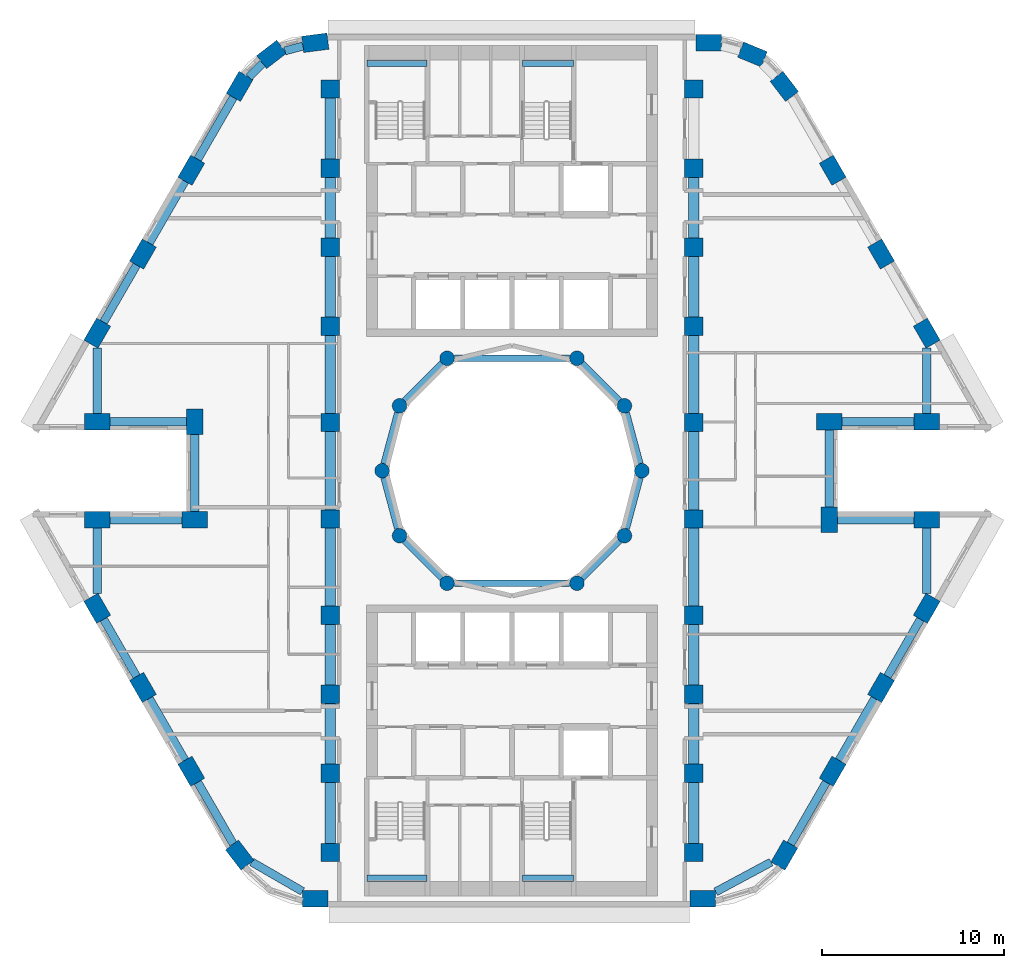
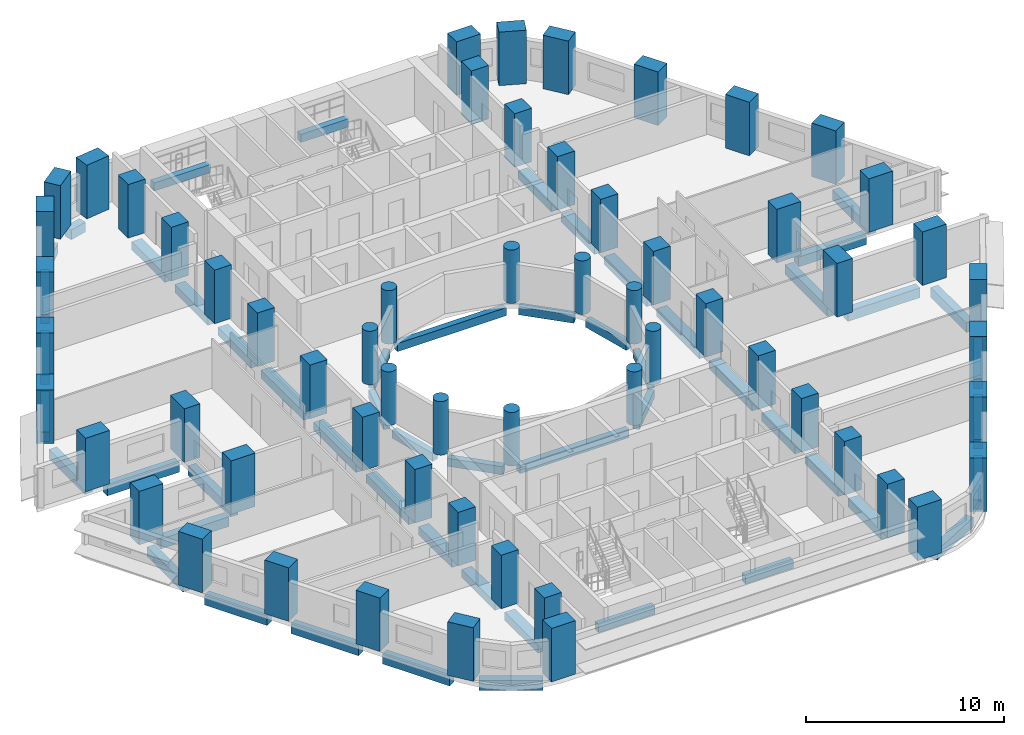
# One storey, part 1 of 12: 60 columns, 54 beams.
"""IFC4 building model written with IfcOpenShell, lengths in metres."""

from ifc_helpers import new_model, si_unit, direction, frame, origin, origin_2d, place, context, subcontext, project, spatial, rectangle, circle, extrude, material, material_profile, profile_set, type_object, element, save


model = new_model("IFC4")

# Units and contexts
model_context = context("Model", 3, precision=1e-05, world=origin(), true_north=direction((0.0, 1.0)))
body_context = subcontext(model_context, "Body", "Model", "MODEL_VIEW")
ifc_project = project(units=[si_unit("LENGTHUNIT", "METRE"), si_unit("AREAUNIT", "SQUARE_METRE"), si_unit("VOLUMEUNIT", "CUBIC_METRE"), si_unit("PLANEANGLEUNIT", "RADIAN"), si_unit("MASSUNIT", "GRAM", prefix="KILO")], contexts=[model_context])

# Site, building, storey
site_placement = place(None, origin())
site = spatial("IfcSite", under=ifc_project, at=site_placement, CompositionType="ELEMENT")
building_placement = place(site_placement, origin())
building = spatial("IfcBuilding", under=site, at=building_placement, Name="Nakaniwa Court", CompositionType="ELEMENT")
storey_placement = place(building_placement, frame((0.0, 0.0, 100.800048828125)))
storey = spatial("IfcBuildingStorey", under=building, at=storey_placement, Name="L26", CompositionType="ELEMENT", Elevation=100.800048828125)

# Columns
ifc_material = material(Name="Concrete C80/100", Category="concrete")
ifc_material_profile_1 = material_profile(ifc_material, rectangle(XDim=1.0, YDim=1.0, at=origin_2d()), Name="Concrete C80/100 RC 1000x1000 spine column")
ifc_profile_set_1 = profile_set([ifc_material_profile_1], Name="Concrete C80/100")
column_type_1 = type_object("IfcColumnType", Name="Concrete C80/100 RC 1000x1000 spine column", PredefinedType="COLUMN", material=ifc_profile_set_1)
for number, where, z_axis, x_axis, name in (
    (1, (90.0, 59.0, 0.0), (0.0, 0.0, 1.0), (0.0, 1.0, 0.0), "COLUMN CS-01"),
    (2, (90.0, 63.35009765625, 0.0), (0.0, 0.0, 1.0), (0.0, 1.0, 0.0), "COLUMN CS-02"),
    (3, (90.0, 67.699951171875, 0.0), (0.0, 0.0, 1.0), (0.0, 1.0, 0.0), "COLUMN CS-03"),
    (4, (90.0, 72.050048828125, 0.0), (0.0, 0.0, 1.0), (0.0, 1.0, 0.0), "COLUMN CS-04"),
    (5, (90.0, 77.35009765625, 0.0), (0.0, 0.0, 1.0), (0.0, 1.0, 0.0), "COLUMN CS-05"),
    (6, (90.0, 82.64990234375, 0.0), (0.0, 0.0, 1.0), (0.0, 1.0, 0.0), "COLUMN CS-06"),
    (7, (90.0, 87.949951171875, 0.0), (0.0, 0.0, 1.0), (0.0, 1.0, 0.0), "COLUMN CS-07"),
    (8, (90.0, 92.300048828125, 0.0), (0.0, 0.0, 1.0), (0.0, 1.0, 0.0), "COLUMN CS-08"),
    (9, (90.0, 96.64990234375, 0.0), (0.0, 0.0, 1.0), (0.0, 1.0, 0.0), "COLUMN CS-09"),
    (10, (90.0, 101.0, 0.0), (0.0, 0.0, 1.0), (0.0, 1.0, 0.0), "COLUMN CS-10"),
    (11, (70.0, 101.0, 0.0), (0.0, 0.0, 1.0), (0.0, -1.0, 0.0), "COLUMN CS-11"),
    (12, (70.0, 96.64990234375, 0.0), (0.0, 0.0, 1.0), (0.0, -1.0, 0.0), "COLUMN CS-12"),
    (13, (70.0, 92.300048828125, 0.0), (0.0, 0.0, 1.0), (0.0, -1.0, 0.0), "COLUMN CS-13"),
    (14, (70.0, 87.949951171875, 0.0), (0.0, 0.0, 1.0), (0.0, -1.0, 0.0), "COLUMN CS-14"),
    (15, (70.0, 82.64990234375, 0.0), (0.0, 0.0, 1.0), (0.0, -1.0, 0.0), "COLUMN CS-15"),
    (16, (70.0, 77.35009765625, 0.0), (0.0, 0.0, 1.0), (0.0, -1.0, 0.0), "COLUMN CS-16"),
    (17, (70.0, 72.050048828125, 0.0), (0.0, 0.0, 1.0), (0.0, -1.0, 0.0), "COLUMN CS-17"),
    (18, (70.0, 67.699951171875, 0.0), (0.0, 0.0, 1.0), (0.0, -1.0, 0.0), "COLUMN CS-18"),
    (19, (70.0, 63.35009765625, 0.0), (0.0, 0.0, 1.0), (0.0, -1.0, 0.0), "COLUMN CS-19"),
    (20, (70.0, 59.0, 0.0), (0.0, 0.0, 1.0), (0.0, -1.0, 0.0), "COLUMN CS-20"),
):
    element("IfcColumn", number, at=place(storey_placement, frame(where, z_axis=z_axis, x_axis=x_axis)), inside=storey, type_object=column_type_1, Name=name, PredefinedType="COLUMN", context=body_context, shape_type="SweptSolid", body=[
        extrude(rectangle(XDim=1.0, YDim=1.0, at=origin_2d()), origin(), (0.0, 0.0, 1.0), 3.300048828125),
    ])
ifc_material_profile_2 = material_profile(ifc_material, rectangle(XDim=1.39990234375, YDim=0.89990234375, at=origin_2d()), Name="Concrete C80/100 RC 1400x900 perimeter column")
ifc_profile_set_2 = profile_set([ifc_material_profile_2], Name="Concrete C80/100")
column_type_2 = type_object("IfcColumnType", Name="Concrete C80/100 RC 1400x900 perimeter column", PredefinedType="COLUMN", material=ifc_profile_set_2)
for number, where, z_axis, x_axis, name in (
    (21, (69.17529296875, 103.550048828125, 0.0), (0.0, 0.0, 1.0), (-0.991442583111, -0.130543496177, 0.0), "COLUMN CO-01"),
    (22, (66.772705078125, 102.91015625, 0.0), (0.0, 0.0, 1.0), (-0.793363965062, -0.608747582288, 0.0), "COLUMN CO-02"),
    (23, (65.017578125, 101.1494140625, 0.0), (0.0, 0.0, 1.0), (-0.5, -0.866025403784, 0.0), "COLUMN CO-03"),
    (24, (62.3544921875, 96.537109375, 0.0), (0.0, 0.0, 1.0), (-0.5, -0.866025403784, 0.0), "COLUMN CO-04"),
    (25, (59.691650390625, 91.9248046875, 0.0), (0.0, 0.0, 1.0), (-0.5, -0.866025403784, 0.0), "COLUMN CO-05"),
    (26, (57.177001953125, 87.569580078125, 0.0), (0.0, 0.0, 1.0), (-0.5, -0.866025403784, 0.0), "COLUMN CO-06"),
    (27, (57.177001953125, 82.699951171875, 0.0), (0.0, 0.0, 1.0), (1.0, 0.0, 0.0), "COLUMN CO-08"),
    (28, (62.54150390625, 82.699951171875, 0.0), (0.0, 0.0, 1.0), (0.0, -1.0, 0.0), "COLUMN CO-09"),
    (29, (62.54150390625, 77.300048828125, 0.0), (0.0, 0.0, 1.0), (-1.0, 0.0, 0.0), "COLUMN CO-10"),
    (30, (57.177001953125, 77.300048828125, 0.0), (0.0, 0.0, 1.0), (-1.0, 0.0, 0.0), "COLUMN CO-11"),
    (31, (57.177001953125, 72.430419921875, 0.0), (0.0, 0.0, 1.0), (0.5, -0.866025403784, 0.0), "COLUMN CO-13"),
    (32, (59.691650390625, 68.0751953125, 0.0), (0.0, 0.0, 1.0), (0.5, -0.866025403784, 0.0), "COLUMN CO-14"),
    (33, (62.3544921875, 63.462890625, 0.0), (0.0, 0.0, 1.0), (0.5, -0.866025403784, 0.0), "COLUMN CO-15"),
    (34, (65.017578125, 58.8505859375, 0.0), (0.0, 0.0, 1.0), (0.608761429009, -0.793353340291, 0.0), "COLUMN CO-16"),
    (35, (69.17529296875, 56.449951171875, 0.0), (0.0, 0.0, 1.0), (1.0, 0.0, 0.0), "COLUMN CO-17"),
    (36, (90.507080078125, 56.449951171875, 0.0), (0.0, 0.0, 1.0), (1.0, 0.0, 0.0), "COLUMN CO-21"),
    (37, (94.982421875, 58.8505859375, 0.0), (0.0, 0.0, 1.0), (0.5, 0.866025403784, 0.0), "COLUMN CO-22"),
    (38, (97.6455078125, 63.462890625, 0.0), (0.0, 0.0, 1.0), (0.5, 0.866025403784, 0.0), "COLUMN CO-23"),
    (39, (100.308349609375, 68.0751953125, 0.0), (0.0, 0.0, 1.0), (0.5, 0.866025403784, 0.0), "COLUMN CO-24"),
    (40, (102.822998046875, 72.430419921875, 0.0), (0.0, 0.0, 1.0), (0.5, 0.866025403784, 0.0), "COLUMN CO-25"),
    (41, (102.822998046875, 77.300048828125, 0.0), (0.0, 0.0, 1.0), (-1.0, 0.0, 0.0), "COLUMN CO-27"),
    (42, (97.45849609375, 77.300048828125, 0.0), (0.0, 0.0, 1.0), (0.0, 1.0, 0.0), "COLUMN CO-28"),
    (43, (97.45849609375, 82.699951171875, 0.0), (0.0, 0.0, 1.0), (1.0, 0.0, 0.0), "COLUMN CO-29"),
    (44, (102.822998046875, 82.699951171875, 0.0), (0.0, 0.0, 1.0), (1.0, 0.0, 0.0), "COLUMN CO-30"),
    (45, (102.822998046875, 87.569580078125, 0.0), (0.0, 0.0, 1.0), (-0.5, 0.866025403784, 0.0), "COLUMN CO-32"),
    (46, (100.308349609375, 91.9248046875, 0.0), (0.0, 0.0, 1.0), (-0.5, 0.866025403784, 0.0), "COLUMN CO-33"),
    (47, (97.6455078125, 96.537109375, 0.0), (0.0, 0.0, 1.0), (-0.5, 0.866025403784, 0.0), "COLUMN CO-34"),
    (48, (94.982421875, 101.1494140625, 0.0), (0.0, 0.0, 1.0), (-0.608761429009, 0.793353340291, 0.0), "COLUMN CO-35"),
    (49, (93.227294921875, 102.91015625, 0.0), (0.0, 0.0, 1.0), (-0.923879532511, 0.382683432365, 0.0), "COLUMN CO-36"),
    (50, (90.82470703125, 103.550048828125, 0.0), (0.0, 0.0, 1.0), (-1.0, 0.0, 0.0), "COLUMN CO-37"),
):
    element("IfcColumn", number, at=place(storey_placement, frame(where, z_axis=z_axis, x_axis=x_axis)), inside=storey, type_object=column_type_2, Name=name, PredefinedType="COLUMN", context=body_context, shape_type="SweptSolid", body=[
        extrude(rectangle(XDim=1.39990234375, YDim=0.89990234375, at=origin_2d()), origin(), (0.0, 0.0, 1.0), 3.300048828125),
    ])
ifc_material_profile_3 = material_profile(ifc_material, circle(Radius=0.39990234375, at=origin_2d()), Name="Concrete C80/100 RC D800 inner ring column")
ifc_profile_set_3 = profile_set([ifc_material_profile_3], Name="Concrete C80/100")
column_type_3 = type_object("IfcColumnType", Name="Concrete C80/100 RC D800 inner ring column", PredefinedType="COLUMN", material=ifc_profile_set_3)
for number, where, z_axis, x_axis, name in (
    (51, (87.14990234375, 80.0, 0.0), (0.0, 0.0, 1.0), (0.0, 1.0, 0.0), "COLUMN CI-01"),
    (52, (86.192138671875, 83.574951171875, 0.0), (0.0, 0.0, 1.0), (-0.5, 0.866025403784, 0.0), "COLUMN CI-02"),
    (53, (83.574951171875, 86.192138671875, 0.0), (0.0, 0.0, 1.0), (-0.866025403784, 0.5, 0.0), "COLUMN CI-03"),
    (54, (76.425048828125, 86.192138671875, 0.0), (0.0, 0.0, 1.0), (-0.866025403784, -0.5, 0.0), "COLUMN CI-05"),
    (55, (73.807861328125, 83.574951171875, 0.0), (0.0, 0.0, 1.0), (-0.5, -0.866025403784, 0.0), "COLUMN CI-06"),
    (56, (72.85009765625, 80.0, 0.0), (0.0, 0.0, 1.0), (0.0, -1.0, 0.0), "COLUMN CI-07"),
    (57, (73.807861328125, 76.425048828125, 0.0), (0.0, 0.0, 1.0), (0.5, -0.866025403784, 0.0), "COLUMN CI-08"),
    (58, (76.425048828125, 73.807861328125, 0.0), (0.0, 0.0, 1.0), (0.866025403784, -0.5, 0.0), "COLUMN CI-09"),
    (59, (83.574951171875, 73.807861328125, 0.0), (0.0, 0.0, 1.0), (0.866025403784, 0.5, 0.0), "COLUMN CI-11"),
    (60, (86.192138671875, 76.425048828125, 0.0), (0.0, 0.0, 1.0), (0.5, 0.866025403784, 0.0), "COLUMN CI-12"),
):
    element("IfcColumn", number, at=place(storey_placement, frame(where, z_axis=z_axis, x_axis=x_axis)), inside=storey, type_object=column_type_3, Name=name, PredefinedType="COLUMN", context=body_context, shape_type="SweptSolid", body=[
        extrude(circle(Radius=0.39990234375, at=origin_2d()), origin(), (0.0, 0.0, 1.0), 3.300048828125),
    ])

# Beams
ifc_material_profile_4 = material_profile(ifc_material, rectangle(XDim=0.35009765625, YDim=0.5, at=origin_2d()), Name="Concrete C80/100 RC 350x500 landing ledge beam")
ifc_profile_set_4 = profile_set([ifc_material_profile_4], Name="Concrete C80/100")
beam_type_1 = type_object("IfcBeamType", Name="Concrete C80/100 RC 350x500 landing ledge beam", PredefinedType="BEAM", material=ifc_profile_set_4)
beam_1_placement = place(storey_placement, frame((72.02490234375, 102.425048828125, 1.199951171875), z_axis=(1.0, 0.0, 0.0), x_axis=(0.0, 1.0, 0.0)))
element("IfcBeam", 61, at=beam_1_placement, inside=storey, type_object=beam_type_1, Name="LANDING LEDGE BEAM", PredefinedType="BEAM", context=body_context, shape_type="SweptSolid", body=[
    extrude(rectangle(XDim=0.35009765625, YDim=0.5, at=origin_2d()), origin(), (0.0, 0.0, 1.0), 3.300048828125),
])
beam_2_placement = place(storey_placement, frame((80.574951171875, 102.425048828125, 1.199951171875), z_axis=(1.0, 0.0, 0.0), x_axis=(0.0, 1.0, 0.0)))
element("IfcBeam", 62, at=beam_2_placement, inside=storey, type_object=beam_type_1, Name="LANDING LEDGE BEAM", PredefinedType="BEAM", context=body_context, shape_type="SweptSolid", body=[
    extrude(rectangle(XDim=0.35009765625, YDim=0.5, at=origin_2d()), origin(), (0.0, 0.0, 1.0), 2.800048828125),
])
beam_3_placement = place(storey_placement, frame((72.02490234375, 57.574951171875, 1.199951171875), z_axis=(1.0, 0.0, 0.0), x_axis=(0.0, 1.0, 0.0)))
element("IfcBeam", 63, at=beam_3_placement, inside=storey, type_object=beam_type_1, Name="LANDING LEDGE BEAM", PredefinedType="BEAM", context=body_context, shape_type="SweptSolid", body=[
    extrude(rectangle(XDim=0.35009765625, YDim=0.5, at=origin_2d()), origin(), (0.0, 0.0, 1.0), 3.300048828125),
])
beam_4_placement = place(storey_placement, frame((80.574951171875, 57.574951171875, 1.199951171875), z_axis=(1.0, 0.0, 0.0), x_axis=(0.0, 1.0, 0.0)))
element("IfcBeam", 64, at=beam_4_placement, inside=storey, type_object=beam_type_1, Name="LANDING LEDGE BEAM", PredefinedType="BEAM", context=body_context, shape_type="SweptSolid", body=[
    extrude(rectangle(XDim=0.35009765625, YDim=0.5, at=origin_2d()), origin(), (0.0, 0.0, 1.0), 2.800048828125),
])
ifc_material_profile_5 = material_profile(ifc_material, rectangle(XDim=0.35009765625, YDim=0.5, at=origin_2d()), Name="Concrete C80/100 RC 350x500 ring beam")
ifc_profile_set_5 = profile_set([ifc_material_profile_5], Name="Concrete C80/100")
beam_type_2 = type_object("IfcBeamType", Name="Concrete C80/100 RC 350x500 ring beam", PredefinedType="BEAM", material=ifc_profile_set_5)
beam_5_placement = place(storey_placement, frame((87.04638671875, 80.386474609375, -0.525146484375), z_axis=(-0.258778150207, 0.965936783115, 0.0), x_axis=(-0.965936783115, -0.258778150207, 0.0)))
element("IfcBeam", 65, at=beam_5_placement, inside=storey, type_object=beam_type_2, Name="RING BEAM", PredefinedType="BEAM", context=body_context, shape_type="SweptSolid", body=[
    extrude(rectangle(XDim=0.35009765625, YDim=0.5, at=origin_2d()), origin(), (0.0, 0.0, 1.0), 2.901123046875),
])
beam_6_placement = place(storey_placement, frame((85.9091796875, 83.85791015625, -0.525146484375), z_axis=(-0.707106781187, 0.707106781187, 0.0), x_axis=(-0.707106781187, -0.707106781187, 0.0)))
element("IfcBeam", 66, at=beam_6_placement, inside=storey, type_object=beam_type_2, Name="RING BEAM", PredefinedType="BEAM", context=body_context, shape_type="SweptSolid", body=[
    extrude(rectangle(XDim=0.35009765625, YDim=0.5, at=origin_2d()), origin(), (0.0, 0.0, 1.0), 2.90087890625),
])
beam_7_placement = place(storey_placement, frame((83.175048828125, 86.192138671875, -0.525146484375), z_axis=(-1.0, 0.0, 0.0), x_axis=(0.0, -1.0, 0.0)))
element("IfcBeam", 67, at=beam_7_placement, inside=storey, type_object=beam_type_2, Name="RING BEAM", PredefinedType="BEAM", context=body_context, shape_type="SweptSolid", body=[
    extrude(rectangle(XDim=0.35009765625, YDim=0.5, at=origin_2d()), origin(), (0.0, 0.0, 1.0), 6.35009765625),
])
beam_8_placement = place(storey_placement, frame((76.14208984375, 85.9091796875, -0.525146484375), z_axis=(-0.707106781187, -0.707106781187, 0.0), x_axis=(0.707106781187, -0.707106781187, 0.0)))
element("IfcBeam", 68, at=beam_8_placement, inside=storey, type_object=beam_type_2, Name="RING BEAM", PredefinedType="BEAM", context=body_context, shape_type="SweptSolid", body=[
    extrude(rectangle(XDim=0.35009765625, YDim=0.5, at=origin_2d()), origin(), (0.0, 0.0, 1.0), 2.90087890625),
])
for number, where, z_axis, x_axis, name in (
    (69, (73.704345703125, 83.188720703125, -0.525146484375), (-0.258778150207, -0.965936783115, 0.0), (0.965936783115, -0.258778150207, 0.0), "RING BEAM"),
    (70, (72.95361328125, 79.613525390625, -0.525146484375), (0.258778150207, -0.965936783115, 0.0), (0.965936783115, 0.258778150207, 0.0), "RING BEAM"),
):
    element("IfcBeam", number, at=place(storey_placement, frame(where, z_axis=z_axis, x_axis=x_axis)), inside=storey, type_object=beam_type_2, Name=name, PredefinedType="BEAM", context=body_context, shape_type="SweptSolid", body=[
        extrude(rectangle(XDim=0.35009765625, YDim=0.5, at=origin_2d()), origin(), (0.0, 0.0, 1.0), 2.901123046875),
    ])
beam_9_placement = place(storey_placement, frame((74.0908203125, 76.14208984375, -0.525146484375), z_axis=(0.707106781187, -0.707106781187, 0.0), x_axis=(0.707106781187, 0.707106781187, 0.0)))
element("IfcBeam", 71, at=beam_9_placement, inside=storey, type_object=beam_type_2, Name="RING BEAM", PredefinedType="BEAM", context=body_context, shape_type="SweptSolid", body=[
    extrude(rectangle(XDim=0.35009765625, YDim=0.5, at=origin_2d()), origin(), (0.0, 0.0, 1.0), 2.90087890625),
])
beam_10_placement = place(storey_placement, frame((76.824951171875, 73.807861328125, -0.525146484375), z_axis=(1.0, 0.0, 0.0), x_axis=(0.0, 1.0, 0.0)))
element("IfcBeam", 72, at=beam_10_placement, inside=storey, type_object=beam_type_2, Name="RING BEAM", PredefinedType="BEAM", context=body_context, shape_type="SweptSolid", body=[
    extrude(rectangle(XDim=0.35009765625, YDim=0.5, at=origin_2d()), origin(), (0.0, 0.0, 1.0), 6.35009765625),
])
beam_11_placement = place(storey_placement, frame((83.85791015625, 74.0908203125, -0.525146484375), z_axis=(0.707106781187, 0.707106781187, 0.0), x_axis=(-0.707106781187, 0.707106781187, 0.0)))
element("IfcBeam", 73, at=beam_11_placement, inside=storey, type_object=beam_type_2, Name="RING BEAM", PredefinedType="BEAM", context=body_context, shape_type="SweptSolid", body=[
    extrude(rectangle(XDim=0.35009765625, YDim=0.5, at=origin_2d()), origin(), (0.0, 0.0, 1.0), 2.90087890625),
])
beam_12_placement = place(storey_placement, frame((86.295654296875, 76.811279296875, -0.525146484375), z_axis=(0.258778150207, 0.965936783115, 0.0), x_axis=(-0.965936783115, 0.258778150207, 0.0)))
element("IfcBeam", 74, at=beam_12_placement, inside=storey, type_object=beam_type_2, Name="RING BEAM", PredefinedType="BEAM", context=body_context, shape_type="SweptSolid", body=[
    extrude(rectangle(XDim=0.35009765625, YDim=0.5, at=origin_2d()), origin(), (0.0, 0.0, 1.0), 2.901123046875),
])
ifc_material_profile_6 = material_profile(ifc_material, rectangle(XDim=0.449951171875, YDim=0.60009765625, at=origin_2d()), Name="Concrete C80/100 RC 450x600 spandrel beam")
ifc_profile_set_6 = profile_set([ifc_material_profile_6], Name="Concrete C80/100")
beam_type_3 = type_object("IfcBeamType", Name="Concrete C80/100 RC 450x600 spandrel beam", PredefinedType="BEAM", material=ifc_profile_set_6)
beam_13_placement = place(storey_placement, frame((68.4931640625, 103.368408203125, -0.574951171875), z_axis=(-0.966290412053, -0.257454538851, 0.0), x_axis=(0.257454538851, -0.966290412053, 0.0)))
element("IfcBeam", 75, at=beam_13_placement, inside=storey, type_object=beam_type_3, Name="SPANDREL BEAM", PredefinedType="BEAM", context=body_context, shape_type="SweptSolid", body=[
    extrude(rectangle(XDim=0.449951171875, YDim=0.60009765625, at=origin_2d()), origin(), (0.0, 0.0, 1.0), 1.022216796875),
])
beam_14_placement = place(storey_placement, frame((66.274169921875, 102.41015625, -0.574951171875), z_axis=(-0.70606530329, -0.708146727374, 0.0), x_axis=(0.708146727374, -0.70606530329, 0.0)))
element("IfcBeam", 76, at=beam_14_placement, inside=storey, type_object=beam_type_3, Name="SPANDREL BEAM", PredefinedType="BEAM", context=body_context, shape_type="SweptSolid", body=[
    extrude(rectangle(XDim=0.449951171875, YDim=0.60009765625, at=origin_2d()), origin(), (0.0, 0.0, 1.0), 1.0556640625),
])
for number, where, z_axis, x_axis, name in (
    (77, (64.66748046875, 100.543212890625, -0.574951171875), (-0.49999161165, -0.866030246746, 0.0), (0.866030246746, -0.49999161165, 0.0), "SPANDREL BEAM"),
    (78, (62.00439453125, 95.930908203125, -0.574951171875), (-0.49999161165, -0.866030246746, 0.0), (0.866030246746, -0.49999161165, 0.0), "SPANDREL BEAM"),
):
    element("IfcBeam", number, at=place(storey_placement, frame(where, z_axis=z_axis, x_axis=x_axis)), inside=storey, type_object=beam_type_3, Name=name, PredefinedType="BEAM", context=body_context, shape_type="SweptSolid", body=[
        extrude(rectangle(XDim=0.449951171875, YDim=0.60009765625, at=origin_2d()), origin(), (0.0, 0.0, 1.0), 3.92578125),
    ])
beam_15_placement = place(storey_placement, frame((59.341552734375, 91.318603515625, -0.574951171875), z_axis=(-0.499988394233, -0.866032104273, 0.0), x_axis=(0.866032104273, -0.499988394233, 0.0)))
element("IfcBeam", 79, at=beam_15_placement, inside=storey, type_object=beam_type_3, Name="SPANDREL BEAM", PredefinedType="BEAM", context=body_context, shape_type="SweptSolid", body=[
    extrude(rectangle(XDim=0.449951171875, YDim=0.60009765625, at=origin_2d()), origin(), (0.0, 0.0, 1.0), 3.62890625),
])
beam_16_placement = place(storey_placement, frame((57.177001953125, 86.761474609375, -0.574951171875), z_axis=(0.0, -1.0, 0.0), x_axis=(1.0, 0.0, 0.0)))
element("IfcBeam", 80, at=beam_16_placement, inside=storey, type_object=beam_type_3, Name="SPANDREL BEAM", PredefinedType="BEAM", context=body_context, shape_type="SweptSolid", body=[
    extrude(rectangle(XDim=0.449951171875, YDim=0.60009765625, at=origin_2d()), origin(), (0.0, 0.0, 1.0), 3.611572265625),
])
beam_17_placement = place(storey_placement, frame((57.877197265625, 82.699951171875, -0.574951171875), z_axis=(1.0, 0.0, 0.0), x_axis=(0.0, 1.0, 0.0)))
element("IfcBeam", 81, at=beam_17_placement, inside=storey, type_object=beam_type_3, Name="SPANDREL BEAM", PredefinedType="BEAM", context=body_context, shape_type="SweptSolid", body=[
    extrude(rectangle(XDim=0.449951171875, YDim=0.60009765625, at=origin_2d()), origin(), (0.0, 0.0, 1.0), 4.21435546875),
])
beam_18_placement = place(storey_placement, frame((62.54150390625, 82.0, -0.574951171875), z_axis=(0.0, -1.0, 0.0), x_axis=(1.0, 0.0, 0.0)))
element("IfcBeam", 82, at=beam_18_placement, inside=storey, type_object=beam_type_3, Name="SPANDREL BEAM", PredefinedType="BEAM", context=body_context, shape_type="SweptSolid", body=[
    extrude(rectangle(XDim=0.449951171875, YDim=0.60009765625, at=origin_2d()), origin(), (0.0, 0.0, 1.0), 4.25),
])
beam_19_placement = place(storey_placement, frame((61.841552734375, 77.300048828125, -0.574951171875), z_axis=(-1.0, 0.0, 0.0), x_axis=(0.0, -1.0, 0.0)))
element("IfcBeam", 83, at=beam_19_placement, inside=storey, type_object=beam_type_3, Name="SPANDREL BEAM", PredefinedType="BEAM", context=body_context, shape_type="SweptSolid", body=[
    extrude(rectangle(XDim=0.449951171875, YDim=0.60009765625, at=origin_2d()), origin(), (0.0, 0.0, 1.0), 3.96435546875),
])
beam_20_placement = place(storey_placement, frame((57.177001953125, 76.85009765625, -0.574951171875), z_axis=(0.0, -1.0, 0.0), x_axis=(1.0, 0.0, 0.0)))
element("IfcBeam", 84, at=beam_20_placement, inside=storey, type_object=beam_type_3, Name="SPANDREL BEAM", PredefinedType="BEAM", context=body_context, shape_type="SweptSolid", body=[
    extrude(rectangle(XDim=0.449951171875, YDim=0.60009765625, at=origin_2d()), origin(), (0.0, 0.0, 1.0), 3.611572265625),
])
beam_21_placement = place(storey_placement, frame((57.527099609375, 71.82421875, -0.574951171875), z_axis=(0.499988394233, -0.866032104273, 0.0), x_axis=(0.866032104273, 0.499988394233, 0.0)))
element("IfcBeam", 85, at=beam_21_placement, inside=storey, type_object=beam_type_3, Name="SPANDREL BEAM", PredefinedType="BEAM", context=body_context, shape_type="SweptSolid", body=[
    extrude(rectangle(XDim=0.449951171875, YDim=0.60009765625, at=origin_2d()), origin(), (0.0, 0.0, 1.0), 3.62890625),
])
beam_22_placement = place(storey_placement, frame((60.04150390625, 67.468994140625, -0.574951171875), z_axis=(0.49999161165, -0.866030246746, 0.0), x_axis=(0.866030246746, 0.49999161165, 0.0)))
element("IfcBeam", 86, at=beam_22_placement, inside=storey, type_object=beam_type_3, Name="SPANDREL BEAM", PredefinedType="BEAM", context=body_context, shape_type="SweptSolid", body=[
    extrude(rectangle(XDim=0.449951171875, YDim=0.60009765625, at=origin_2d()), origin(), (0.0, 0.0, 1.0), 3.92578125),
])
beam_23_placement = place(storey_placement, frame((62.70458984375, 62.856689453125, -0.574951171875), z_axis=(0.499997407846, -0.86602690036, 0.0), x_axis=(0.86602690036, 0.499997407846, 0.0)))
element("IfcBeam", 87, at=beam_23_placement, inside=storey, type_object=beam_type_3, Name="SPANDREL BEAM", PredefinedType="BEAM", context=body_context, shape_type="SweptSolid", body=[
    extrude(rectangle(XDim=0.449951171875, YDim=0.60009765625, at=origin_2d()), origin(), (0.0, 0.0, 1.0), 3.919921875),
])
beam_24_placement = place(storey_placement, frame((65.673583984375, 58.4716796875, -0.574951171875), z_axis=(0.866014675542, -0.5000185814, 0.0), x_axis=(0.5000185814, 0.866014675542, 0.0)))
element("IfcBeam", 88, at=beam_24_placement, inside=storey, type_object=beam_type_3, Name="SPANDREL BEAM", PredefinedType="BEAM", context=body_context, shape_type="SweptSolid", body=[
    extrude(rectangle(XDim=0.449951171875, YDim=0.60009765625, at=origin_2d()), origin(), (0.0, 0.0, 1.0), 3.2353515625),
])
beam_25_placement = place(storey_placement, frame((91.20703125, 56.825439453125, -0.574951171875), z_axis=(0.881233381314, 0.472681423009, 0.0), x_axis=(-0.472681423009, 0.881233381314, 0.0)))
element("IfcBeam", 89, at=beam_25_placement, inside=storey, type_object=beam_type_3, Name="SPANDREL BEAM", PredefinedType="BEAM", context=body_context, shape_type="SweptSolid", body=[
    extrude(rectangle(XDim=0.449951171875, YDim=0.60009765625, at=origin_2d()), origin(), (0.0, 0.0, 1.0), 3.46044921875),
])
for number, where, z_axis, x_axis, name in (
    (90, (95.33251953125, 59.456787109375, -0.574951171875), (0.49999161165, 0.866030246746, 0.0), (-0.866030246746, 0.49999161165, 0.0), "SPANDREL BEAM"),
    (91, (97.99560546875, 64.069091796875, -0.574951171875), (0.49999161165, 0.866030246746, 0.0), (-0.866030246746, 0.49999161165, 0.0), "SPANDREL BEAM"),
):
    element("IfcBeam", number, at=place(storey_placement, frame(where, z_axis=z_axis, x_axis=x_axis)), inside=storey, type_object=beam_type_3, Name=name, PredefinedType="BEAM", context=body_context, shape_type="SweptSolid", body=[
        extrude(rectangle(XDim=0.449951171875, YDim=0.60009765625, at=origin_2d()), origin(), (0.0, 0.0, 1.0), 3.92578125),
    ])
beam_26_placement = place(storey_placement, frame((100.658447265625, 68.681396484375, -0.574951171875), z_axis=(0.499988394233, 0.866032104273, 0.0), x_axis=(-0.866032104273, 0.499988394233, 0.0)))
element("IfcBeam", 92, at=beam_26_placement, inside=storey, type_object=beam_type_3, Name="SPANDREL BEAM", PredefinedType="BEAM", context=body_context, shape_type="SweptSolid", body=[
    extrude(rectangle(XDim=0.449951171875, YDim=0.60009765625, at=origin_2d()), origin(), (0.0, 0.0, 1.0), 3.62890625),
])
beam_27_placement = place(storey_placement, frame((102.822998046875, 73.238525390625, -0.574951171875), z_axis=(0.0, 1.0, 0.0), x_axis=(-1.0, 0.0, 0.0)))
element("IfcBeam", 93, at=beam_27_placement, inside=storey, type_object=beam_type_3, Name="SPANDREL BEAM", PredefinedType="BEAM", context=body_context, shape_type="SweptSolid", body=[
    extrude(rectangle(XDim=0.449951171875, YDim=0.60009765625, at=origin_2d()), origin(), (0.0, 0.0, 1.0), 3.611572265625),
])
beam_28_placement = place(storey_placement, frame((102.122802734375, 77.300048828125, -0.574951171875), z_axis=(-1.0, 0.0, 0.0), x_axis=(0.0, -1.0, 0.0)))
element("IfcBeam", 94, at=beam_28_placement, inside=storey, type_object=beam_type_3, Name="SPANDREL BEAM", PredefinedType="BEAM", context=body_context, shape_type="SweptSolid", body=[
    extrude(rectangle(XDim=0.449951171875, YDim=0.60009765625, at=origin_2d()), origin(), (0.0, 0.0, 1.0), 4.21435546875),
])
beam_29_placement = place(storey_placement, frame((97.45849609375, 78.0, -0.574951171875), z_axis=(0.0, 1.0, 0.0), x_axis=(-1.0, 0.0, 0.0)))
element("IfcBeam", 95, at=beam_29_placement, inside=storey, type_object=beam_type_3, Name="SPANDREL BEAM", PredefinedType="BEAM", context=body_context, shape_type="SweptSolid", body=[
    extrude(rectangle(XDim=0.449951171875, YDim=0.60009765625, at=origin_2d()), origin(), (0.0, 0.0, 1.0), 4.25),
])
beam_30_placement = place(storey_placement, frame((98.158447265625, 82.699951171875, -0.574951171875), z_axis=(1.0, 0.0, 0.0), x_axis=(0.0, 1.0, 0.0)))
element("IfcBeam", 96, at=beam_30_placement, inside=storey, type_object=beam_type_3, Name="SPANDREL BEAM", PredefinedType="BEAM", context=body_context, shape_type="SweptSolid", body=[
    extrude(rectangle(XDim=0.449951171875, YDim=0.60009765625, at=origin_2d()), origin(), (0.0, 0.0, 1.0), 3.96435546875),
])
beam_31_placement = place(storey_placement, frame((102.822998046875, 83.14990234375, -0.574951171875), z_axis=(0.0, 1.0, 0.0), x_axis=(-1.0, 0.0, 0.0)))
element("IfcBeam", 97, at=beam_31_placement, inside=storey, type_object=beam_type_3, Name="SPANDREL BEAM", PredefinedType="BEAM", context=body_context, shape_type="SweptSolid", body=[
    extrude(rectangle(XDim=0.449951171875, YDim=0.60009765625, at=origin_2d()), origin(), (0.0, 0.0, 1.0), 3.611572265625),
])
ifc_material_profile_7 = material_profile(ifc_material, rectangle(XDim=0.60009765625, YDim=0.5, at=origin_2d()), Name="Concrete C80/100 RC 600x500 ring beam")
ifc_profile_set_7 = profile_set([ifc_material_profile_7], Name="Concrete C80/100")
beam_type_4 = type_object("IfcBeamType", Name="Concrete C80/100 RC 600x500 ring beam", PredefinedType="BEAM", material=ifc_profile_set_7)
beam_32_placement = place(storey_placement, frame((90.0, 59.5, -0.525146484375), z_axis=(0.0, 1.0, 0.0), x_axis=(-1.0, 0.0, 0.0)))
element("IfcBeam", 98, at=beam_32_placement, inside=storey, type_object=beam_type_4, Name="RING BEAM", PredefinedType="BEAM", context=body_context, shape_type="SweptSolid", body=[
    extrude(rectangle(XDim=0.60009765625, YDim=0.5, at=origin_2d()), origin(), (0.0, 0.0, 1.0), 3.35009765625),
])
beam_33_placement = place(storey_placement, frame((90.0, 63.85009765625, -0.525146484375), z_axis=(0.0, 1.0, 0.0), x_axis=(-1.0, 0.0, 0.0)))
element("IfcBeam", 99, at=beam_33_placement, inside=storey, type_object=beam_type_4, Name="RING BEAM", PredefinedType="BEAM", context=body_context, shape_type="SweptSolid", body=[
    extrude(rectangle(XDim=0.60009765625, YDim=0.5, at=origin_2d()), origin(), (0.0, 0.0, 1.0), 3.349853515625),
])
beam_34_placement = place(storey_placement, frame((90.0, 68.199951171875, -0.525146484375), z_axis=(0.0, 1.0, 0.0), x_axis=(-1.0, 0.0, 0.0)))
element("IfcBeam", 100, at=beam_34_placement, inside=storey, type_object=beam_type_4, Name="RING BEAM", PredefinedType="BEAM", context=body_context, shape_type="SweptSolid", body=[
    extrude(rectangle(XDim=0.60009765625, YDim=0.5, at=origin_2d()), origin(), (0.0, 0.0, 1.0), 3.35009765625),
])
beam_35_placement = place(storey_placement, frame((90.0, 72.550048828125, -0.525146484375), z_axis=(0.0, 1.0, 0.0), x_axis=(-1.0, 0.0, 0.0)))
element("IfcBeam", 101, at=beam_35_placement, inside=storey, type_object=beam_type_4, Name="RING BEAM", PredefinedType="BEAM", context=body_context, shape_type="SweptSolid", body=[
    extrude(rectangle(XDim=0.60009765625, YDim=0.5, at=origin_2d()), origin(), (0.0, 0.0, 1.0), 4.300048828125),
])
beam_36_placement = place(storey_placement, frame((90.0, 77.85009765625, -0.525146484375), z_axis=(0.0, 1.0, 0.0), x_axis=(-1.0, 0.0, 0.0)))
element("IfcBeam", 102, at=beam_36_placement, inside=storey, type_object=beam_type_4, Name="RING BEAM", PredefinedType="BEAM", context=body_context, shape_type="SweptSolid", body=[
    extrude(rectangle(XDim=0.60009765625, YDim=0.5, at=origin_2d()), origin(), (0.0, 0.0, 1.0), 4.2998046875),
])
beam_37_placement = place(storey_placement, frame((90.0, 83.14990234375, -0.525146484375), z_axis=(0.0, 1.0, 0.0), x_axis=(-1.0, 0.0, 0.0)))
element("IfcBeam", 103, at=beam_37_placement, inside=storey, type_object=beam_type_4, Name="RING BEAM", PredefinedType="BEAM", context=body_context, shape_type="SweptSolid", body=[
    extrude(rectangle(XDim=0.60009765625, YDim=0.5, at=origin_2d()), origin(), (0.0, 0.0, 1.0), 4.300048828125),
])
beam_38_placement = place(storey_placement, frame((90.0, 88.449951171875, -0.525146484375), z_axis=(0.0, 1.0, 0.0), x_axis=(-1.0, 0.0, 0.0)))
element("IfcBeam", 104, at=beam_38_placement, inside=storey, type_object=beam_type_4, Name="RING BEAM", PredefinedType="BEAM", context=body_context, shape_type="SweptSolid", body=[
    extrude(rectangle(XDim=0.60009765625, YDim=0.5, at=origin_2d()), origin(), (0.0, 0.0, 1.0), 3.35009765625),
])
beam_39_placement = place(storey_placement, frame((90.0, 92.800048828125, -0.525146484375), z_axis=(0.0, 1.0, 0.0), x_axis=(-1.0, 0.0, 0.0)))
element("IfcBeam", 105, at=beam_39_placement, inside=storey, type_object=beam_type_4, Name="RING BEAM", PredefinedType="BEAM", context=body_context, shape_type="SweptSolid", body=[
    extrude(rectangle(XDim=0.60009765625, YDim=0.5, at=origin_2d()), origin(), (0.0, 0.0, 1.0), 3.349853515625),
])
beam_40_placement = place(storey_placement, frame((70.0, 100.5, -0.525146484375), z_axis=(0.0, -1.0, 0.0), x_axis=(1.0, 0.0, 0.0)))
element("IfcBeam", 106, at=beam_40_placement, inside=storey, type_object=beam_type_4, Name="RING BEAM", PredefinedType="BEAM", context=body_context, shape_type="SweptSolid", body=[
    extrude(rectangle(XDim=0.60009765625, YDim=0.5, at=origin_2d()), origin(), (0.0, 0.0, 1.0), 3.35009765625),
])
beam_41_placement = place(storey_placement, frame((70.0, 96.14990234375, -0.525146484375), z_axis=(0.0, -1.0, 0.0), x_axis=(1.0, 0.0, 0.0)))
element("IfcBeam", 107, at=beam_41_placement, inside=storey, type_object=beam_type_4, Name="RING BEAM", PredefinedType="BEAM", context=body_context, shape_type="SweptSolid", body=[
    extrude(rectangle(XDim=0.60009765625, YDim=0.5, at=origin_2d()), origin(), (0.0, 0.0, 1.0), 3.349853515625),
])
beam_42_placement = place(storey_placement, frame((70.0, 91.800048828125, -0.525146484375), z_axis=(0.0, -1.0, 0.0), x_axis=(1.0, 0.0, 0.0)))
element("IfcBeam", 108, at=beam_42_placement, inside=storey, type_object=beam_type_4, Name="RING BEAM", PredefinedType="BEAM", context=body_context, shape_type="SweptSolid", body=[
    extrude(rectangle(XDim=0.60009765625, YDim=0.5, at=origin_2d()), origin(), (0.0, 0.0, 1.0), 3.35009765625),
])
beam_43_placement = place(storey_placement, frame((70.0, 87.449951171875, -0.525146484375), z_axis=(0.0, -1.0, 0.0), x_axis=(1.0, 0.0, 0.0)))
element("IfcBeam", 109, at=beam_43_placement, inside=storey, type_object=beam_type_4, Name="RING BEAM", PredefinedType="BEAM", context=body_context, shape_type="SweptSolid", body=[
    extrude(rectangle(XDim=0.60009765625, YDim=0.5, at=origin_2d()), origin(), (0.0, 0.0, 1.0), 4.300048828125),
])
beam_44_placement = place(storey_placement, frame((70.0, 82.14990234375, -0.525146484375), z_axis=(0.0, -1.0, 0.0), x_axis=(1.0, 0.0, 0.0)))
element("IfcBeam", 110, at=beam_44_placement, inside=storey, type_object=beam_type_4, Name="RING BEAM", PredefinedType="BEAM", context=body_context, shape_type="SweptSolid", body=[
    extrude(rectangle(XDim=0.60009765625, YDim=0.5, at=origin_2d()), origin(), (0.0, 0.0, 1.0), 4.2998046875),
])
beam_45_placement = place(storey_placement, frame((70.0, 76.85009765625, -0.525146484375), z_axis=(0.0, -1.0, 0.0), x_axis=(1.0, 0.0, 0.0)))
element("IfcBeam", 111, at=beam_45_placement, inside=storey, type_object=beam_type_4, Name="RING BEAM", PredefinedType="BEAM", context=body_context, shape_type="SweptSolid", body=[
    extrude(rectangle(XDim=0.60009765625, YDim=0.5, at=origin_2d()), origin(), (0.0, 0.0, 1.0), 4.300048828125),
])
beam_46_placement = place(storey_placement, frame((70.0, 71.550048828125, -0.525146484375), z_axis=(0.0, -1.0, 0.0), x_axis=(1.0, 0.0, 0.0)))
element("IfcBeam", 112, at=beam_46_placement, inside=storey, type_object=beam_type_4, Name="RING BEAM", PredefinedType="BEAM", context=body_context, shape_type="SweptSolid", body=[
    extrude(rectangle(XDim=0.60009765625, YDim=0.5, at=origin_2d()), origin(), (0.0, 0.0, 1.0), 3.35009765625),
])
beam_47_placement = place(storey_placement, frame((70.0, 67.199951171875, -0.525146484375), z_axis=(0.0, -1.0, 0.0), x_axis=(1.0, 0.0, 0.0)))
element("IfcBeam", 113, at=beam_47_placement, inside=storey, type_object=beam_type_4, Name="RING BEAM", PredefinedType="BEAM", context=body_context, shape_type="SweptSolid", body=[
    extrude(rectangle(XDim=0.60009765625, YDim=0.5, at=origin_2d()), origin(), (0.0, 0.0, 1.0), 3.349853515625),
])
beam_48_placement = place(storey_placement, frame((70.0, 62.85009765625, -0.525146484375), z_axis=(0.0, -1.0, 0.0), x_axis=(1.0, 0.0, 0.0)))
element("IfcBeam", 114, at=beam_48_placement, inside=storey, type_object=beam_type_4, Name="RING BEAM", PredefinedType="BEAM", context=body_context, shape_type="SweptSolid", body=[
    extrude(rectangle(XDim=0.60009765625, YDim=0.5, at=origin_2d()), origin(), (0.0, 0.0, 1.0), 3.35009765625),
])

save(model, "model.ifc")
